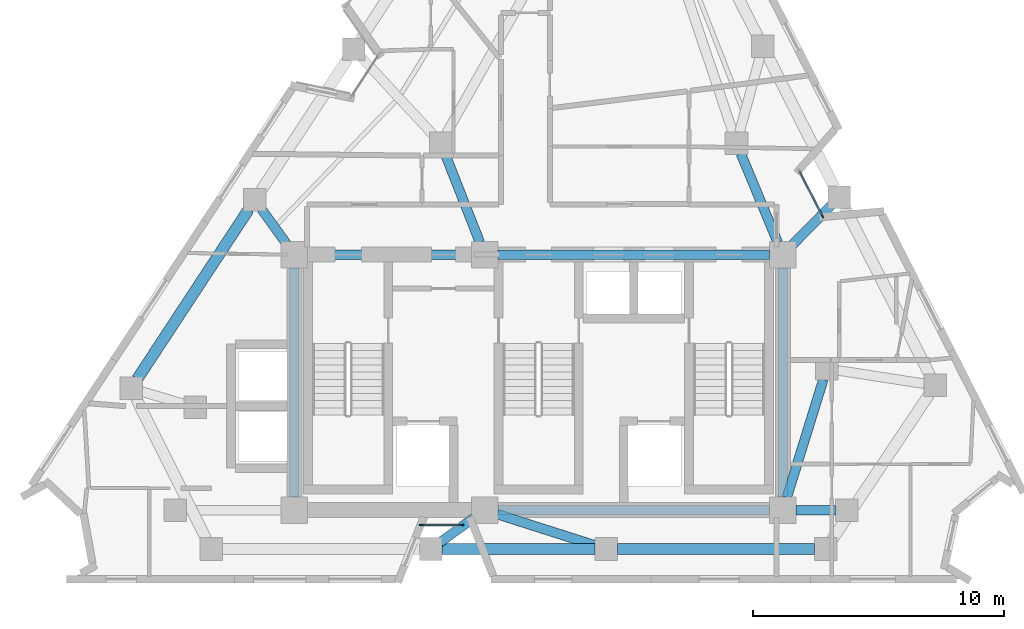
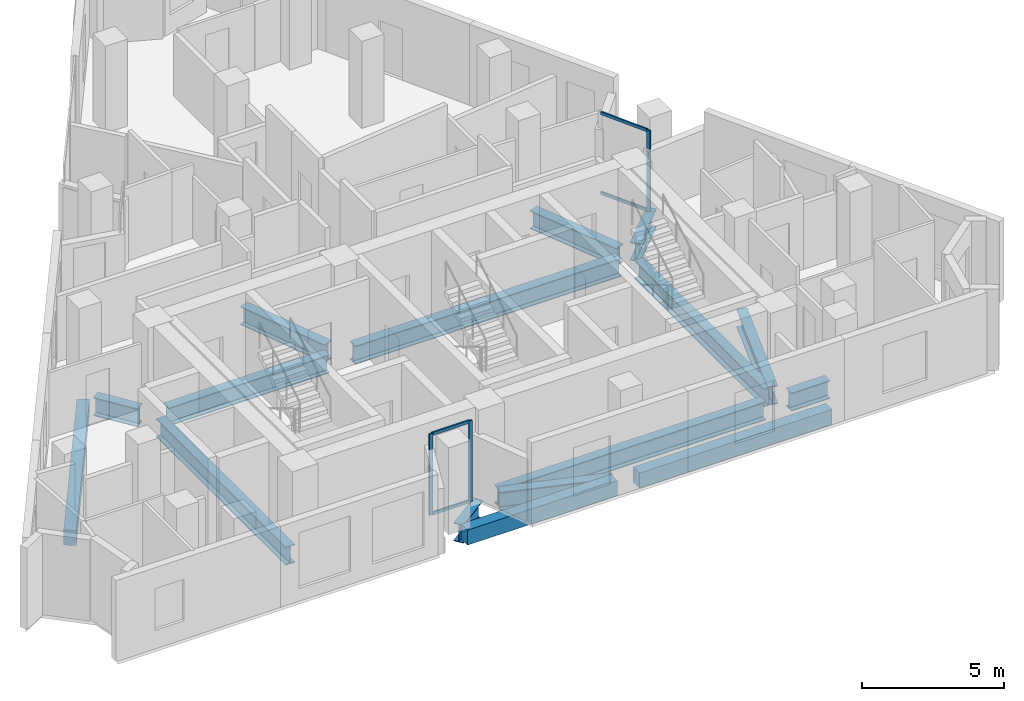
# One storey, part 2 of 9: 16 beams, 7 members, 2 elements without a shape of their own.
"""IFC4 building model written with IfcOpenShell, lengths in metres."""

from ifc_helpers import new_model, si_unit, direction, frame, origin, origin_2d, place, context, subcontext, project, spatial, rectangle, i_section, extrude, material, layer, layer_set, material_profile, profile_set, type_object, element, aggregate, save


model = new_model("IFC4")

# Units and contexts
model_context = context("Model", 3, precision=1e-05, world=origin(), true_north=direction((0.0, 1.0)))
body_context = subcontext(model_context, "Body", "Model", "MODEL_VIEW")
ifc_project = project(units=[si_unit("LENGTHUNIT", "METRE"), si_unit("AREAUNIT", "SQUARE_METRE"), si_unit("VOLUMEUNIT", "CUBIC_METRE"), si_unit("PLANEANGLEUNIT", "RADIAN"), si_unit("MASSUNIT", "GRAM", prefix="KILO")], contexts=[model_context])

# Site, building, storey
site_placement = place(None, origin())
site = spatial("IfcSite", under=ifc_project, at=site_placement, CompositionType="ELEMENT")
building_placement = place(site_placement, origin())
building = spatial("IfcBuilding", under=site, at=building_placement, Name="Almagre Mirador Tower", CompositionType="ELEMENT")
storey_placement = place(building_placement, frame((0.0, 0.0, 237.0)))
storey = spatial("IfcBuildingStorey", under=building, at=storey_placement, Name="L61", CompositionType="ELEMENT", Elevation=237.0)

# Beams
ifc_material_1 = material(Name="Precast concrete C50/60", Category="concrete")
ifc_material_profile_1 = material_profile(ifc_material_1, rectangle(XDim=0.449951171875, YDim=0.64990234375, at=origin_2d()), Name="RC450X650")
ifc_profile_set_1 = profile_set([ifc_material_profile_1], Name="Precast concrete C50/60")
beam_type_1 = type_object("IfcBeamType", Name="BM-SPN-RC450X650", PredefinedType="SPANDREL", material=ifc_profile_set_1)
beam_1_placement = place(storey_placement, frame((33.446044921875, 3.0, -0.574951171875), z_axis=(1.0, 0.0, 0.0), x_axis=(0.0, 1.0, 0.0)))
element("IfcBeam", 1, at=beam_1_placement, inside=storey, type_object=beam_type_1, Name="L61 perimeter spandrel beam PC02-PC03", PredefinedType="SPANDREL", context=body_context, shape_type="SweptSolid", body=[
    extrude(rectangle(XDim=0.449951171875, YDim=0.64990234375, at=origin_2d()), origin(), (0.0, 0.0, 1.0), 6.10791015625),
])
beam_2_placement = place(storey_placement, frame((40.4541015625, 3.0, -0.574951171875), z_axis=(1.0, 0.0, 0.0), x_axis=(0.0, 1.0, 0.0)))
element("IfcBeam", 2, at=beam_2_placement, inside=storey, type_object=beam_type_1, Name="L61 perimeter spandrel beam PC03-PC04", PredefinedType="SPANDREL", context=body_context, shape_type="SweptSolid", body=[
    extrude(rectangle(XDim=0.449951171875, YDim=0.64990234375, at=origin_2d()), origin(), (0.0, 0.0, 1.0), 7.85986328125),
])
beam_3_placement = place(storey_placement, frame((25.72998046875, 16.556884765625, -0.574951171875), z_axis=(-0.54903769876, -0.835797586345, 0.0), x_axis=(0.835797586345, -0.54903769876, 0.0)))
element("IfcBeam", 3, at=beam_3_placement, inside=storey, type_object=beam_type_1, Name="L61 perimeter spandrel beam PC11-PC12", PredefinedType="SPANDREL", context=body_context, shape_type="SweptSolid", body=[
    extrude(rectangle(XDim=0.449951171875, YDim=0.64990234375, at=origin_2d()), origin(), (0.0, 0.0, 1.0), 8.097412109375),
])
ifc_material_2 = material(Name="Steel ASTM A992 Grade 50", Category="steel")
ifc_material_profile_2 = material_profile(ifc_material_2, i_section(OverallWidth=0.384033203125, OverallDepth=0.784912109375, WebThickness=0.019775390625, FlangeThickness=0.033447265625, FilletRadius=0.02392578125, at=origin_2d()), Name="W30X211")
ifc_profile_set_2 = profile_set([ifc_material_profile_2], Name="Steel ASTM A992 Grade 50")
beam_type_2 = type_object("IfcBeamType", Name="BM-STL-W30X211", PredefinedType="BEAM", material=ifc_profile_set_2)
beam_4_placement = place(storey_placement, frame((35.675048828125, 4.550048828125, -0.642578125), z_axis=(1.0, 0.0, 0.0), x_axis=(0.0, 1.0, 0.0)))
element("IfcBeam", 4, at=beam_4_placement, inside=storey, type_object=beam_type_2, Name="L61 core tie girder CC2-CC3", PredefinedType="BEAM", context=body_context, shape_type="SweptSolid", body=[
    extrude(i_section(OverallWidth=0.384033203125, OverallDepth=0.784912109375, WebThickness=0.019775390625, FlangeThickness=0.033447265625, FilletRadius=0.02392578125, at=origin_2d()), origin(), (0.0, 0.0, 1.0), 10.849853515625),
])
beam_5_placement = place(storey_placement, frame((28.074951171875, 14.75, -0.642578125), z_axis=(1.0, 0.0, 0.0), x_axis=(0.0, 1.0, 0.0)))
element("IfcBeam", 5, at=beam_5_placement, inside=storey, type_object=beam_type_2, Name="L61 core tie girder CC4-CC5", PredefinedType="BEAM", context=body_context, shape_type="SweptSolid", body=[
    extrude(i_section(OverallWidth=0.384033203125, OverallDepth=0.784912109375, WebThickness=0.019775390625, FlangeThickness=0.033447265625, FilletRadius=0.02392578125, at=origin_2d()), origin(), (0.0, 0.0, 1.0), 6.550048828125),
])
beam_6_placement = place(storey_placement, frame((35.675048828125, 14.75, -0.642578125), z_axis=(1.0, 0.0, 0.0), x_axis=(0.0, 1.0, 0.0)))
element("IfcBeam", 6, at=beam_6_placement, inside=storey, type_object=beam_type_2, Name="L61 core tie girder CC5-CC6", PredefinedType="BEAM", context=body_context, shape_type="SweptSolid", body=[
    extrude(i_section(OverallWidth=0.384033203125, OverallDepth=0.784912109375, WebThickness=0.019775390625, FlangeThickness=0.033447265625, FilletRadius=0.02392578125, at=origin_2d()), origin(), (0.0, 0.0, 1.0), 10.849853515625),
])
for number, where, z_axis, x_axis, name in (
    (7, (27.550048828125, 5.074951171875, -0.642578125), (0.0, 1.0, 0.0), (-1.0, 0.0, 0.0), "L61 core tie girder CC1-CC4"),
    (8, (47.050048828125, 5.074951171875, -0.642578125), (0.0, 1.0, 0.0), (-1.0, 0.0, 0.0), "L61 core tie girder CC3-CC6"),
):
    element("IfcBeam", number, at=place(storey_placement, frame(where, z_axis=z_axis, x_axis=x_axis)), inside=storey, type_object=beam_type_2, Name=name, PredefinedType="BEAM", context=body_context, shape_type="SweptSolid", body=[
        extrude(i_section(OverallWidth=0.384033203125, OverallDepth=0.784912109375, WebThickness=0.019775390625, FlangeThickness=0.033447265625, FilletRadius=0.02392578125, at=origin_2d()), origin(), (0.0, 0.0, 1.0), 9.150146484375),
    ])
beam_7_placement = place(storey_placement, frame((49.14990234375, 4.550048828125, -0.642578125), z_axis=(-1.0, 0.0, 0.0), x_axis=(0.0, -1.0, 0.0)))
element("IfcBeam", 9, at=beam_7_placement, inside=storey, type_object=beam_type_2, Name="L61 core tie girder MC2-CC3", PredefinedType="BEAM", context=body_context, shape_type="SweptSolid", body=[
    extrude(i_section(OverallWidth=0.384033203125, OverallDepth=0.784912109375, WebThickness=0.019775390625, FlangeThickness=0.033447265625, FilletRadius=0.02392578125, at=origin_2d()), origin(), (0.0, 0.0, 1.0), 1.574951171875),
])
beam_8_placement = place(storey_placement, frame((48.6669921875, 9.77001953125, -0.642578125), z_axis=(-0.295901717967, -0.955218390372, 0.0), x_axis=(0.955218390372, -0.295901717967, 0.0)))
element("IfcBeam", 10, at=beam_8_placement, inside=storey, type_object=beam_type_2, Name="L61 core tie girder MC3-CC3", PredefinedType="BEAM", context=body_context, shape_type="SweptSolid", body=[
    extrude(i_section(OverallWidth=0.384033203125, OverallDepth=0.784912109375, WebThickness=0.019775390625, FlangeThickness=0.033447265625, FilletRadius=0.02392578125, at=origin_2d()), origin(), (0.0, 0.0, 1.0), 4.939697265625),
])
beam_9_placement = place(storey_placement, frame((45.372802734375, 18.784423828125, -0.642578125), z_axis=(0.383862140668, -0.923390414159, 0.0), x_axis=(0.923390414159, 0.383862140668, 0.0)))
element("IfcBeam", 11, at=beam_9_placement, inside=storey, type_object=beam_type_2, Name="L61 core tie girder MC5-CC6", PredefinedType="BEAM", context=body_context, shape_type="SweptSolid", body=[
    extrude(i_section(OverallWidth=0.384033203125, OverallDepth=0.784912109375, WebThickness=0.019775390625, FlangeThickness=0.033447265625, FilletRadius=0.02392578125, at=origin_2d()), origin(), (0.0, 0.0, 1.0), 3.843994140625),
])
beam_10_placement = place(storey_placement, frame((33.564697265625, 18.78125, -0.642578125), z_axis=(0.365999579355, -0.93061501595, 0.0), x_axis=(0.93061501595, 0.365999579355, 0.0)))
element("IfcBeam", 12, at=beam_10_placement, inside=storey, type_object=beam_type_2, Name="L61 core tie girder MC8-CC5", PredefinedType="BEAM", context=body_context, shape_type="SweptSolid", body=[
    extrude(i_section(OverallWidth=0.384033203125, OverallDepth=0.784912109375, WebThickness=0.019775390625, FlangeThickness=0.033447265625, FilletRadius=0.02392578125, at=origin_2d()), origin(), (0.0, 0.0, 1.0), 3.806884765625),
])
beam_11_placement = place(storey_placement, frame((33.361328125, 3.2626953125, -0.642578125), z_axis=(0.81162535726, 0.584178294233, 0.0), x_axis=(-0.584178294233, 0.81162535726, 0.0)))
element("IfcBeam", 13, at=beam_11_placement, inside=storey, type_object=beam_type_2, Name="L61 radial floor girder PC02-CC2", PredefinedType="BEAM", context=body_context, shape_type="SweptSolid", body=[
    extrude(i_section(OverallWidth=0.384033203125, OverallDepth=0.784912109375, WebThickness=0.019775390625, FlangeThickness=0.033447265625, FilletRadius=0.02392578125, at=origin_2d()), origin(), (0.0, 0.0, 1.0), 1.6787109375),
])
beam_12_placement = place(storey_placement, frame((39.5751953125, 3.136962890625, -0.642578125), z_axis=(-0.952606979741, 0.304203783914, 0.0), x_axis=(-0.304203783914, -0.952606979741, 0.0)))
element("IfcBeam", 14, at=beam_12_placement, inside=storey, type_object=beam_type_2, Name="L61 radial floor girder PC03-CC2", PredefinedType="BEAM", context=body_context, shape_type="SweptSolid", body=[
    extrude(i_section(OverallWidth=0.384033203125, OverallDepth=0.784912109375, WebThickness=0.019775390625, FlangeThickness=0.033447265625, FilletRadius=0.02392578125, at=origin_2d()), origin(), (0.0, 0.0, 1.0), 4.120361328125),
])
beam_13_placement = place(storey_placement, frame((48.99267578125, 16.72802734375, -0.642578125), z_axis=(-0.700668518121, -0.713486949925, 0.0), x_axis=(0.713486949925, -0.700668518121, 0.0)))
element("IfcBeam", 15, at=beam_13_placement, inside=storey, type_object=beam_type_2, Name="L61 radial floor girder PC06-CC6", PredefinedType="BEAM", context=body_context, shape_type="SweptSolid", body=[
    extrude(i_section(OverallWidth=0.384033203125, OverallDepth=0.784912109375, WebThickness=0.019775390625, FlangeThickness=0.033447265625, FilletRadius=0.02392578125, at=origin_2d()), origin(), (0.0, 0.0, 1.0), 2.247314453125),
])
beam_14_placement = place(storey_placement, frame((26.239990234375, 16.56787109375, -0.642578125), z_axis=(0.584638267921, -0.81129408705, 0.0), x_axis=(0.81129408705, 0.584638267921, 0.0)))
element("IfcBeam", 16, at=beam_14_placement, inside=storey, type_object=beam_type_2, Name="L61 radial floor girder PC11-CC4", PredefinedType="BEAM", context=body_context, shape_type="SweptSolid", body=[
    extrude(i_section(OverallWidth=0.384033203125, OverallDepth=0.784912109375, WebThickness=0.019775390625, FlangeThickness=0.033447265625, FilletRadius=0.02392578125, at=origin_2d()), origin(), (0.0, 0.0, 1.0), 1.7158203125),
])

# Curtain wall, member
ifc_material_3 = material(Name="Black anodized aluminium", Category="aluminium")
ifc_layer = layer(ifc_material_3, 0.169921875)
ifc_layer_set = layer_set([ifc_layer], Name="Black anodized aluminium")
curtain_wall_type = type_object("IfcCurtainWallType", Name="CW-CRS-SYS", PredefinedType="NOTDEFINED", material=ifc_layer_set)
curtain_wall_1_placement = place(storey_placement, origin())
curtain_wall_1 = element("IfcCurtainWall", 17, at=curtain_wall_1_placement, inside=storey, type_object=curtain_wall_type, Name="L61 vertical crease curtain wall 03", PredefinedType="NOTDEFINED")
ifc_material_4 = material(Name="Black anodized aluminium", Category="aluminium")
ifc_material_profile_3 = material_profile(ifc_material_4, rectangle(XDim=0.06005859375, YDim=0.14990234375, at=origin_2d()), Name="CWM60X150")
ifc_profile_set_3 = profile_set([ifc_material_profile_3], Name="Black anodized aluminium")
member_type_1 = type_object("IfcMemberType", Name="MBR-CWM60X150", PredefinedType="MULLION", material=ifc_profile_set_3)
member_1_placement = place(storey_placement, frame((48.63134765625, 16.28369140625, 0.0), z_axis=(0.0, 0.0, 1.0), x_axis=(0.891539014833, 0.452943909364, 0.0)))
member_1 = element("IfcMember", 18, at=member_1_placement, type_object=member_type_1, Name="CW-4 mullion 2", PredefinedType="MULLION", context=body_context, shape_type="SweptSolid", body=[
    extrude(rectangle(XDim=0.06005859375, YDim=0.14990234375, at=origin_2d()), origin(), (0.0, 0.0, 1.0), 3.5),
])

# Curtain wall, members
curtain_wall_2_placement = place(storey_placement, origin())
curtain_wall_2 = element("IfcCurtainWall", 19, at=curtain_wall_2_placement, inside=storey, type_object=curtain_wall_type, Name="L61 vertical crease curtain wall 04", PredefinedType="NOTDEFINED")
member_2_placement = place(storey_placement, frame((34.235107421875, 3.949951171875, 0.0), z_axis=(0.0, 0.0, 1.0), x_axis=(0.0, -1.0, 0.0)))
member_2 = element("IfcMember", 20, at=member_2_placement, type_object=member_type_1, Name="CW-4 mullion 1", PredefinedType="MULLION", context=body_context, shape_type="SweptSolid", body=[
    extrude(rectangle(XDim=0.06005859375, YDim=0.14990234375, at=origin_2d()), origin(), (0.0, 0.0, 1.0), 3.5),
])
member_3_placement = place(storey_placement, frame((32.62109375, 3.949951171875, 0.0), z_axis=(0.0, 0.0, 1.0), x_axis=(0.0, -1.0, 0.0)))
member_3 = element("IfcMember", 21, at=member_3_placement, type_object=member_type_1, Name="CW-4 mullion 2", PredefinedType="MULLION", context=body_context, shape_type="SweptSolid", body=[
    extrude(rectangle(XDim=0.06005859375, YDim=0.14990234375, at=origin_2d()), origin(), (0.0, 0.0, 1.0), 3.5),
])

# Member
ifc_material_5 = material(Name="Black anodized aluminium", Category="aluminium")
ifc_material_profile_4 = material_profile(ifc_material_5, rectangle(XDim=0.06005859375, YDim=0.1298828125, at=origin_2d()), Name="CWT60X130")
ifc_profile_set_4 = profile_set([ifc_material_profile_4], Name="Black anodized aluminium")
member_type_2 = type_object("IfcMemberType", Name="MBR-CWT60X130", PredefinedType="USERDEFINED", material=ifc_profile_set_4)
member_4_placement = place(storey_placement, frame((47.72509765625, 18.067626953125, 0.030029296875), z_axis=(0.453001430857, -0.891509788865, 0.0), x_axis=(0.891509788865, 0.453001430857, 0.0)))
member_4 = element("IfcMember", 22, at=member_4_placement, type_object=member_type_2, Name="CW-4 transom 1.1", ObjectType="TRANSOM", PredefinedType="USERDEFINED", context=body_context, shape_type="SweptSolid", body=[
    extrude(rectangle(XDim=0.06005859375, YDim=0.1298828125, at=origin_2d()), origin(), (0.0, 0.0, 1.0), 1.970947265625),
])

member_5_placement = place(storey_placement, frame((47.72509765625, 18.067626953125, 3.469970703125), z_axis=(0.453001430857, -0.891509788865, 0.0), x_axis=(0.891509788865, 0.453001430857, 0.0)))
member_5 = element("IfcMember", 23, at=member_5_placement, type_object=member_type_2, Name="CW-4 transom 1.2", ObjectType="TRANSOM", PredefinedType="USERDEFINED", context=body_context, shape_type="SweptSolid", body=[
    extrude(rectangle(XDim=0.06005859375, YDim=0.1298828125, at=origin_2d()), origin(), (0.0, 0.0, 1.0), 1.970947265625),
])

aggregate(curtain_wall_1, [member_1, member_4, member_5])

member_6_placement = place(storey_placement, frame((34.205078125, 3.949951171875, 0.030029296875), z_axis=(-1.0, 0.0, 0.0), x_axis=(0.0, -1.0, 0.0)))
member_6 = element("IfcMember", 24, at=member_6_placement, type_object=member_type_2, Name="CW-4 transom 1.1", ObjectType="TRANSOM", PredefinedType="USERDEFINED", context=body_context, shape_type="SweptSolid", body=[
    extrude(rectangle(XDim=0.06005859375, YDim=0.1298828125, at=origin_2d()), origin(), (0.0, 0.0, 1.0), 1.55419921875),
])

member_7_placement = place(storey_placement, frame((34.205078125, 3.949951171875, 3.469970703125), z_axis=(-1.0, 0.0, 0.0), x_axis=(0.0, -1.0, 0.0)))
member_7 = element("IfcMember", 25, at=member_7_placement, type_object=member_type_2, Name="CW-4 transom 1.2", ObjectType="TRANSOM", PredefinedType="USERDEFINED", context=body_context, shape_type="SweptSolid", body=[
    extrude(rectangle(XDim=0.06005859375, YDim=0.1298828125, at=origin_2d()), origin(), (0.0, 0.0, 1.0), 1.55419921875),
])

aggregate(curtain_wall_2, [member_2, member_3, member_6, member_7])

save(model, "model.ifc")
